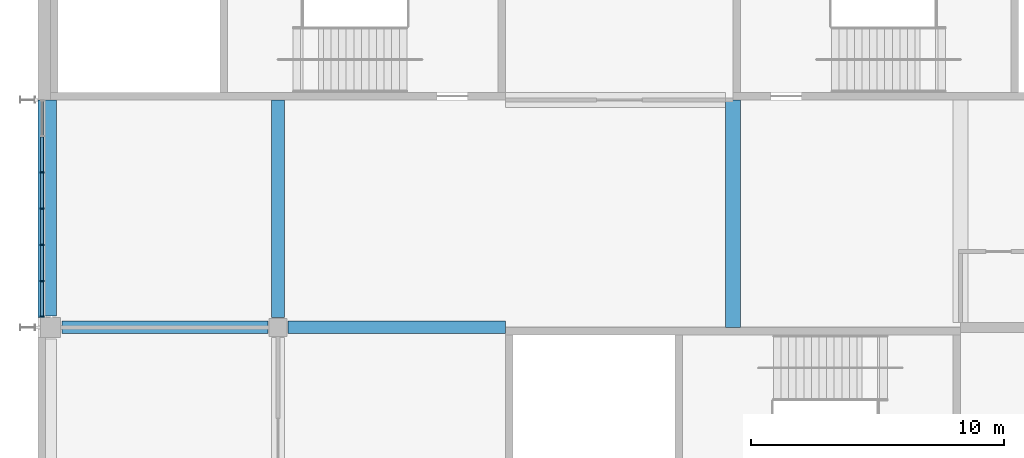
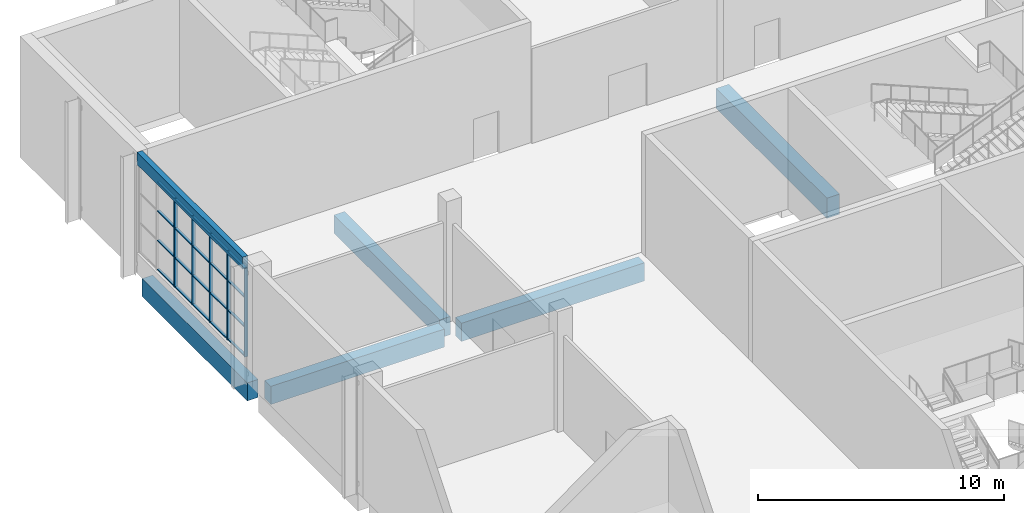
# One storey, part 17 of 89: 25 members, 6 beams, 1 element without a shape of its own.
"""IFC4 building model written with IfcOpenShell, lengths in metres."""

from ifc_helpers import new_model, si_unit, direction, frame, origin, origin_2d, place, context, subcontext, project, spatial, rectangle, extrude, material, material_profile, profile_set, type_object, element, aggregate, save


model = new_model("IFC4")

# Units and contexts
model_context = context("Model", 3, precision=1e-05, world=origin(), true_north=direction((0.0, 1.0)))
body_context = subcontext(model_context, "Body", "Model", "MODEL_VIEW")
ifc_project = project(units=[si_unit("LENGTHUNIT", "METRE"), si_unit("AREAUNIT", "SQUARE_METRE"), si_unit("VOLUMEUNIT", "CUBIC_METRE"), si_unit("PLANEANGLEUNIT", "RADIAN"), si_unit("MASSUNIT", "GRAM", prefix="KILO")], contexts=[model_context])

# Site, building, storey
site_placement = place(None, origin())
site = spatial("IfcSite", under=ifc_project, at=site_placement, CompositionType="ELEMENT")
building_placement = place(site_placement, origin())
building = spatial("IfcBuilding", under=site, at=building_placement, Name="Silverbay Arena", CompositionType="ELEMENT")
storey_placement = place(building_placement, frame((0.0, 0.0, 22.0)))
storey = spatial("IfcBuildingStorey", under=building, at=storey_placement, Name="L03", CompositionType="ELEMENT", Elevation=22.0)

# Curtain wall, members
ifc_material_1 = material(Name="Aluminium framed curtain wall", Category="aluminium")
curtain_wall_type = type_object("IfcCurtainWallType", Name="Curtain wall 8600 x 4400", PredefinedType="NOTDEFINED", material=ifc_material_1)
curtain_wall_placement = place(storey_placement, origin())
curtain_wall = element("IfcCurtainWall", 1, at=curtain_wall_placement, inside=storey, type_object=curtain_wall_type, Name="West curtain wall L03 bay 13", PredefinedType="NOTDEFINED")
ifc_material_2 = material(Name="Aluminium", Category="aluminium")
ifc_material_profile_1 = material_profile(ifc_material_2, rectangle(XDim=0.159912109375, YDim=0.06005859375, at=origin_2d()), Name="Mullion 60 x 160")
ifc_profile_set_1 = profile_set([ifc_material_profile_1], Name="Aluminium")
member_type_1 = type_object("IfcMemberType", Name="Mullion 60 x 160", PredefinedType="MULLION", material=ifc_profile_set_1)
member_1_placement = place(storey_placement, frame((53.669921875, 132.13330078125, 1.0), z_axis=(0.0, 0.0, 1.0), x_axis=(1.0, 0.0, 0.0)))
member_1 = element("IfcMember", 2, at=member_1_placement, type_object=member_type_1, Name="CW12 mullion 3", PredefinedType="MULLION", context=body_context, shape_type="SweptSolid", body=[
    extrude(rectangle(XDim=0.159912109375, YDim=0.06005859375, at=origin_2d()), origin(), (0.0, 0.0, 1.0), 4.39990234375),
])
member_2_placement = place(storey_placement, frame((53.669921875, 130.699951171875, 1.0), z_axis=(0.0, 0.0, 1.0), x_axis=(1.0, 0.0, 0.0)))
member_2 = element("IfcMember", 3, at=member_2_placement, type_object=member_type_1, Name="CW12 mullion 4", PredefinedType="MULLION", context=body_context, shape_type="SweptSolid", body=[
    extrude(rectangle(XDim=0.159912109375, YDim=0.06005859375, at=origin_2d()), origin(), (0.0, 0.0, 1.0), 4.39990234375),
])
member_3_placement = place(storey_placement, frame((53.669921875, 129.2666015625, 1.0), z_axis=(0.0, 0.0, 1.0), x_axis=(1.0, 0.0, 0.0)))
member_3 = element("IfcMember", 4, at=member_3_placement, type_object=member_type_1, Name="CW12 mullion 5", PredefinedType="MULLION", context=body_context, shape_type="SweptSolid", body=[
    extrude(rectangle(XDim=0.159912109375, YDim=0.06005859375, at=origin_2d()), origin(), (0.0, 0.0, 1.0), 4.39990234375),
])
member_4_placement = place(storey_placement, frame((53.669921875, 127.833251953125, 1.0), z_axis=(0.0, 0.0, 1.0), x_axis=(1.0, 0.0, 0.0)))
member_4 = element("IfcMember", 5, at=member_4_placement, type_object=member_type_1, Name="CW12 mullion 6", PredefinedType="MULLION", context=body_context, shape_type="SweptSolid", body=[
    extrude(rectangle(XDim=0.159912109375, YDim=0.06005859375, at=origin_2d()), origin(), (0.0, 0.0, 1.0), 4.39990234375),
])
member_5_placement = place(storey_placement, frame((53.669921875, 126.429931640625, 1.0), z_axis=(0.0, 0.0, 1.0), x_axis=(1.0, 0.0, 0.0)))
member_5 = element("IfcMember", 6, at=member_5_placement, type_object=member_type_1, Name="CW12 mullion 7", PredefinedType="MULLION", context=body_context, shape_type="SweptSolid", body=[
    extrude(rectangle(XDim=0.159912109375, YDim=0.06005859375, at=origin_2d()), origin(), (0.0, 0.0, 1.0), 4.39990234375),
])

# Beams
ifc_material_3 = material(Name="Concrete Grade C45", Category="concrete")
ifc_material_profile_2 = material_profile(ifc_material_3, rectangle(XDim=0.5, YDim=0.89990234375, at=origin_2d()), Name="RC 500x900")
ifc_profile_set_2 = profile_set([ifc_material_profile_2], Name="Concrete Grade C45")
beam_type_1 = type_object("IfcBeamType", Name="RC beam 500x900", PredefinedType="BEAM", material=ifc_profile_set_2)
beam_1_placement = place(storey_placement, frame((54.449951171875, 126.0, -0.800048828125), z_axis=(1.0, 0.0, 0.0), x_axis=(0.0, 1.0, 0.0)))
element("IfcBeam", 7, at=beam_1_placement, inside=storey, type_object=beam_type_1, Name="Floor beam L03 069", PredefinedType="BEAM", context=body_context, shape_type="SweptSolid", body=[
    extrude(rectangle(XDim=0.5, YDim=0.89990234375, at=origin_2d()), origin(), (0.0, 0.0, 1.0), 8.150146484375),
])
beam_2_placement = place(storey_placement, frame((63.39990234375, 126.0, -0.800048828125), z_axis=(1.0, 0.0, 0.0), x_axis=(0.0, 1.0, 0.0)))
element("IfcBeam", 8, at=beam_2_placement, inside=storey, type_object=beam_type_1, Name="Floor beam L03 070", PredefinedType="BEAM", context=body_context, shape_type="SweptSolid", body=[
    extrude(rectangle(XDim=0.5, YDim=0.89990234375, at=origin_2d()), origin(), (0.0, 0.0, 1.0), 8.60009765625),
])
beam_3_placement = place(storey_placement, frame((54.0, 126.449951171875, -0.800048828125), z_axis=(0.0, 1.0, 0.0), x_axis=(-1.0, 0.0, 0.0)))
element("IfcBeam", 9, at=beam_3_placement, inside=storey, type_object=beam_type_1, Name="Floor beam L03 090", PredefinedType="BEAM", context=body_context, shape_type="SweptSolid", body=[
    extrude(rectangle(XDim=0.5, YDim=0.89990234375, at=origin_2d()), origin(), (0.0, 0.0, 1.0), 8.550048828125),
])
beam_4_placement = place(storey_placement, frame((63.0, 126.39990234375, -0.800048828125), z_axis=(0.0, 1.0, 0.0), x_axis=(-1.0, 0.0, 0.0)))
element("IfcBeam", 10, at=beam_4_placement, inside=storey, type_object=beam_type_1, Name="Floor beam L03 098", PredefinedType="BEAM", context=body_context, shape_type="SweptSolid", body=[
    extrude(rectangle(XDim=0.5, YDim=0.89990234375, at=origin_2d()), origin(), (0.0, 0.0, 1.0), 8.60009765625),
])
ifc_material_4 = material(Name="Concrete Grade C45", Category="concrete")
ifc_material_profile_3 = material_profile(ifc_material_4, rectangle(XDim=0.60009765625, YDim=1.0, at=origin_2d()), Name="RC 600x1000")
ifc_profile_set_3 = profile_set([ifc_material_profile_3], Name="Concrete Grade C45")
beam_type_2 = type_object("IfcBeamType", Name="RC beam 600x1000", PredefinedType="BEAM", material=ifc_profile_set_3)
beam_5_placement = place(storey_placement, frame((81.0, 126.0, -0.85009765625), z_axis=(0.0, 1.0, 0.0), x_axis=(-1.0, 0.0, 0.0)))
element("IfcBeam", 11, at=beam_5_placement, inside=storey, type_object=beam_type_2, Name="Floor beam L03 100", PredefinedType="BEAM", context=body_context, shape_type="SweptSolid", body=[
    extrude(rectangle(XDim=0.60009765625, YDim=1.0, at=origin_2d()), origin(), (0.0, 0.0, 1.0), 9.0),
])
ifc_material_5 = material(Name="Concrete Grade C45", Category="concrete")
ifc_material_profile_4 = material_profile(ifc_material_5, rectangle(XDim=0.25, YDim=0.60009765625, at=origin_2d()), Name="RC 250x600")
ifc_profile_set_4 = profile_set([ifc_material_profile_4], Name="Concrete Grade C45")
beam_type_3 = type_object("IfcBeamType", Name="RC facade beam 250x600", PredefinedType="SPANDREL", material=ifc_profile_set_4)
beam_6_placement = place(storey_placement, frame((53.625, 126.39990234375, 5.699951171875), z_axis=(0.0, 1.0, 0.0), x_axis=(-1.0, 0.0, 0.0)))
element("IfcBeam", 12, at=beam_6_placement, inside=storey, type_object=beam_type_3, Name="Facade beam L03 west", PredefinedType="SPANDREL", context=body_context, shape_type="SweptSolid", body=[
    extrude(rectangle(XDim=0.25, YDim=0.60009765625, at=origin_2d()), origin(), (0.0, 0.0, 1.0), 8.60009765625),
])

# Member
ifc_material_6 = material(Name="Aluminium", Category="aluminium")
ifc_material_profile_5 = material_profile(ifc_material_6, rectangle(XDim=0.1201171875, YDim=0.050048828125, at=origin_2d()), Name="Transom 50 x 120")
ifc_profile_set_5 = profile_set([ifc_material_profile_5], Name="Aluminium")
member_type_2 = type_object("IfcMemberType", Name="Transom 50 x 120", PredefinedType="USERDEFINED", material=ifc_profile_set_5)
member_6_placement = place(storey_placement, frame((53.669921875, 133.53662109375, 1.02490234375), z_axis=(0.0, -1.0, 0.0), x_axis=(1.0, 0.0, 0.0)))
member_6 = element("IfcMember", 13, at=member_6_placement, type_object=member_type_2, Name="CW12 transom 2.1", ObjectType="TRANSOM", PredefinedType="USERDEFINED", context=body_context, shape_type="SweptSolid", body=[
    extrude(rectangle(XDim=0.1201171875, YDim=0.050048828125, at=origin_2d()), origin(), (0.0, 0.0, 1.0), 1.373291015625),
])

member_7_placement = place(storey_placement, frame((53.669921875, 133.53662109375, 2.466552734375), z_axis=(0.0, -1.0, 0.0), x_axis=(1.0, 0.0, 0.0)))
member_7 = element("IfcMember", 14, at=member_7_placement, type_object=member_type_2, Name="CW12 transom 2.2", ObjectType="TRANSOM", PredefinedType="USERDEFINED", context=body_context, shape_type="SweptSolid", body=[
    extrude(rectangle(XDim=0.1201171875, YDim=0.050048828125, at=origin_2d()), origin(), (0.0, 0.0, 1.0), 1.373291015625),
])

member_8_placement = place(storey_placement, frame((53.669921875, 133.53662109375, 3.933349609375), z_axis=(0.0, -1.0, 0.0), x_axis=(1.0, 0.0, 0.0)))
member_8 = element("IfcMember", 15, at=member_8_placement, type_object=member_type_2, Name="CW12 transom 2.3", ObjectType="TRANSOM", PredefinedType="USERDEFINED", context=body_context, shape_type="SweptSolid", body=[
    extrude(rectangle(XDim=0.1201171875, YDim=0.050048828125, at=origin_2d()), origin(), (0.0, 0.0, 1.0), 1.373291015625),
])

member_9_placement = place(storey_placement, frame((53.669921875, 133.53662109375, 5.375), z_axis=(0.0, -1.0, 0.0), x_axis=(1.0, 0.0, 0.0)))
member_9 = element("IfcMember", 16, at=member_9_placement, type_object=member_type_2, Name="CW12 transom 2.4", ObjectType="TRANSOM", PredefinedType="USERDEFINED", context=body_context, shape_type="SweptSolid", body=[
    extrude(rectangle(XDim=0.1201171875, YDim=0.050048828125, at=origin_2d()), origin(), (0.0, 0.0, 1.0), 1.373291015625),
])

member_10_placement = place(storey_placement, frame((53.669921875, 132.103271484375, 1.02490234375), z_axis=(0.0, -1.0, 0.0), x_axis=(1.0, 0.0, 0.0)))
member_10 = element("IfcMember", 17, at=member_10_placement, type_object=member_type_2, Name="CW12 transom 3.1", ObjectType="TRANSOM", PredefinedType="USERDEFINED", context=body_context, shape_type="SweptSolid", body=[
    extrude(rectangle(XDim=0.1201171875, YDim=0.050048828125, at=origin_2d()), origin(), (0.0, 0.0, 1.0), 1.373291015625),
])

member_11_placement = place(storey_placement, frame((53.669921875, 132.103271484375, 2.466552734375), z_axis=(0.0, -1.0, 0.0), x_axis=(1.0, 0.0, 0.0)))
member_11 = element("IfcMember", 18, at=member_11_placement, type_object=member_type_2, Name="CW12 transom 3.2", ObjectType="TRANSOM", PredefinedType="USERDEFINED", context=body_context, shape_type="SweptSolid", body=[
    extrude(rectangle(XDim=0.1201171875, YDim=0.050048828125, at=origin_2d()), origin(), (0.0, 0.0, 1.0), 1.373291015625),
])

member_12_placement = place(storey_placement, frame((53.669921875, 132.103271484375, 3.933349609375), z_axis=(0.0, -1.0, 0.0), x_axis=(1.0, 0.0, 0.0)))
member_12 = element("IfcMember", 19, at=member_12_placement, type_object=member_type_2, Name="CW12 transom 3.3", ObjectType="TRANSOM", PredefinedType="USERDEFINED", context=body_context, shape_type="SweptSolid", body=[
    extrude(rectangle(XDim=0.1201171875, YDim=0.050048828125, at=origin_2d()), origin(), (0.0, 0.0, 1.0), 1.373291015625),
])

member_13_placement = place(storey_placement, frame((53.669921875, 132.103271484375, 5.375), z_axis=(0.0, -1.0, 0.0), x_axis=(1.0, 0.0, 0.0)))
member_13 = element("IfcMember", 20, at=member_13_placement, type_object=member_type_2, Name="CW12 transom 3.4", ObjectType="TRANSOM", PredefinedType="USERDEFINED", context=body_context, shape_type="SweptSolid", body=[
    extrude(rectangle(XDim=0.1201171875, YDim=0.050048828125, at=origin_2d()), origin(), (0.0, 0.0, 1.0), 1.373291015625),
])

member_14_placement = place(storey_placement, frame((53.669921875, 130.669921875, 1.02490234375), z_axis=(0.0, -1.0, 0.0), x_axis=(1.0, 0.0, 0.0)))
member_14 = element("IfcMember", 21, at=member_14_placement, type_object=member_type_2, Name="CW12 transom 4.1", ObjectType="TRANSOM", PredefinedType="USERDEFINED", context=body_context, shape_type="SweptSolid", body=[
    extrude(rectangle(XDim=0.1201171875, YDim=0.050048828125, at=origin_2d()), origin(), (0.0, 0.0, 1.0), 1.373291015625),
])

member_15_placement = place(storey_placement, frame((53.669921875, 130.669921875, 2.466552734375), z_axis=(0.0, -1.0, 0.0), x_axis=(1.0, 0.0, 0.0)))
member_15 = element("IfcMember", 22, at=member_15_placement, type_object=member_type_2, Name="CW12 transom 4.2", ObjectType="TRANSOM", PredefinedType="USERDEFINED", context=body_context, shape_type="SweptSolid", body=[
    extrude(rectangle(XDim=0.1201171875, YDim=0.050048828125, at=origin_2d()), origin(), (0.0, 0.0, 1.0), 1.373291015625),
])

member_16_placement = place(storey_placement, frame((53.669921875, 130.669921875, 3.933349609375), z_axis=(0.0, -1.0, 0.0), x_axis=(1.0, 0.0, 0.0)))
member_16 = element("IfcMember", 23, at=member_16_placement, type_object=member_type_2, Name="CW12 transom 4.3", ObjectType="TRANSOM", PredefinedType="USERDEFINED", context=body_context, shape_type="SweptSolid", body=[
    extrude(rectangle(XDim=0.1201171875, YDim=0.050048828125, at=origin_2d()), origin(), (0.0, 0.0, 1.0), 1.373291015625),
])

member_17_placement = place(storey_placement, frame((53.669921875, 130.669921875, 5.375), z_axis=(0.0, -1.0, 0.0), x_axis=(1.0, 0.0, 0.0)))
member_17 = element("IfcMember", 24, at=member_17_placement, type_object=member_type_2, Name="CW12 transom 4.4", ObjectType="TRANSOM", PredefinedType="USERDEFINED", context=body_context, shape_type="SweptSolid", body=[
    extrude(rectangle(XDim=0.1201171875, YDim=0.050048828125, at=origin_2d()), origin(), (0.0, 0.0, 1.0), 1.373291015625),
])

member_18_placement = place(storey_placement, frame((53.669921875, 129.236572265625, 1.02490234375), z_axis=(0.0, -1.0, 0.0), x_axis=(1.0, 0.0, 0.0)))
member_18 = element("IfcMember", 25, at=member_18_placement, type_object=member_type_2, Name="CW12 transom 5.1", ObjectType="TRANSOM", PredefinedType="USERDEFINED", context=body_context, shape_type="SweptSolid", body=[
    extrude(rectangle(XDim=0.1201171875, YDim=0.050048828125, at=origin_2d()), origin(), (0.0, 0.0, 1.0), 1.373291015625),
])

member_19_placement = place(storey_placement, frame((53.669921875, 129.236572265625, 2.466552734375), z_axis=(0.0, -1.0, 0.0), x_axis=(1.0, 0.0, 0.0)))
member_19 = element("IfcMember", 26, at=member_19_placement, type_object=member_type_2, Name="CW12 transom 5.2", ObjectType="TRANSOM", PredefinedType="USERDEFINED", context=body_context, shape_type="SweptSolid", body=[
    extrude(rectangle(XDim=0.1201171875, YDim=0.050048828125, at=origin_2d()), origin(), (0.0, 0.0, 1.0), 1.373291015625),
])

member_20_placement = place(storey_placement, frame((53.669921875, 129.236572265625, 3.933349609375), z_axis=(0.0, -1.0, 0.0), x_axis=(1.0, 0.0, 0.0)))
member_20 = element("IfcMember", 27, at=member_20_placement, type_object=member_type_2, Name="CW12 transom 5.3", ObjectType="TRANSOM", PredefinedType="USERDEFINED", context=body_context, shape_type="SweptSolid", body=[
    extrude(rectangle(XDim=0.1201171875, YDim=0.050048828125, at=origin_2d()), origin(), (0.0, 0.0, 1.0), 1.373291015625),
])

member_21_placement = place(storey_placement, frame((53.669921875, 129.236572265625, 5.375), z_axis=(0.0, -1.0, 0.0), x_axis=(1.0, 0.0, 0.0)))
member_21 = element("IfcMember", 28, at=member_21_placement, type_object=member_type_2, Name="CW12 transom 5.4", ObjectType="TRANSOM", PredefinedType="USERDEFINED", context=body_context, shape_type="SweptSolid", body=[
    extrude(rectangle(XDim=0.1201171875, YDim=0.050048828125, at=origin_2d()), origin(), (0.0, 0.0, 1.0), 1.373291015625),
])

member_22_placement = place(storey_placement, frame((53.669921875, 127.80322265625, 1.02490234375), z_axis=(0.0, -1.0, 0.0), x_axis=(1.0, 0.0, 0.0)))
member_22 = element("IfcMember", 29, at=member_22_placement, type_object=member_type_2, Name="CW12 transom 6.1", ObjectType="TRANSOM", PredefinedType="USERDEFINED", context=body_context, shape_type="SweptSolid", body=[
    extrude(rectangle(XDim=0.1201171875, YDim=0.050048828125, at=origin_2d()), origin(), (0.0, 0.0, 1.0), 1.34326171875),
])

member_23_placement = place(storey_placement, frame((53.669921875, 127.80322265625, 2.466552734375), z_axis=(0.0, -1.0, 0.0), x_axis=(1.0, 0.0, 0.0)))
member_23 = element("IfcMember", 30, at=member_23_placement, type_object=member_type_2, Name="CW12 transom 6.2", ObjectType="TRANSOM", PredefinedType="USERDEFINED", context=body_context, shape_type="SweptSolid", body=[
    extrude(rectangle(XDim=0.1201171875, YDim=0.050048828125, at=origin_2d()), origin(), (0.0, 0.0, 1.0), 1.34326171875),
])

member_24_placement = place(storey_placement, frame((53.669921875, 127.80322265625, 3.933349609375), z_axis=(0.0, -1.0, 0.0), x_axis=(1.0, 0.0, 0.0)))
member_24 = element("IfcMember", 31, at=member_24_placement, type_object=member_type_2, Name="CW12 transom 6.3", ObjectType="TRANSOM", PredefinedType="USERDEFINED", context=body_context, shape_type="SweptSolid", body=[
    extrude(rectangle(XDim=0.1201171875, YDim=0.050048828125, at=origin_2d()), origin(), (0.0, 0.0, 1.0), 1.34326171875),
])

member_25_placement = place(storey_placement, frame((53.669921875, 127.80322265625, 5.375), z_axis=(0.0, -1.0, 0.0), x_axis=(1.0, 0.0, 0.0)))
member_25 = element("IfcMember", 32, at=member_25_placement, type_object=member_type_2, Name="CW12 transom 6.4", ObjectType="TRANSOM", PredefinedType="USERDEFINED", context=body_context, shape_type="SweptSolid", body=[
    extrude(rectangle(XDim=0.1201171875, YDim=0.050048828125, at=origin_2d()), origin(), (0.0, 0.0, 1.0), 1.34326171875),
])

aggregate(curtain_wall, [member_1, member_2, member_3, member_4, member_5, member_6, member_7, member_8, member_9, member_10, member_11, member_12, member_13, member_14, member_15, member_16, member_17, member_18, member_19, member_20, member_21, member_22, member_23, member_24, member_25])

save(model, "model.ifc")
